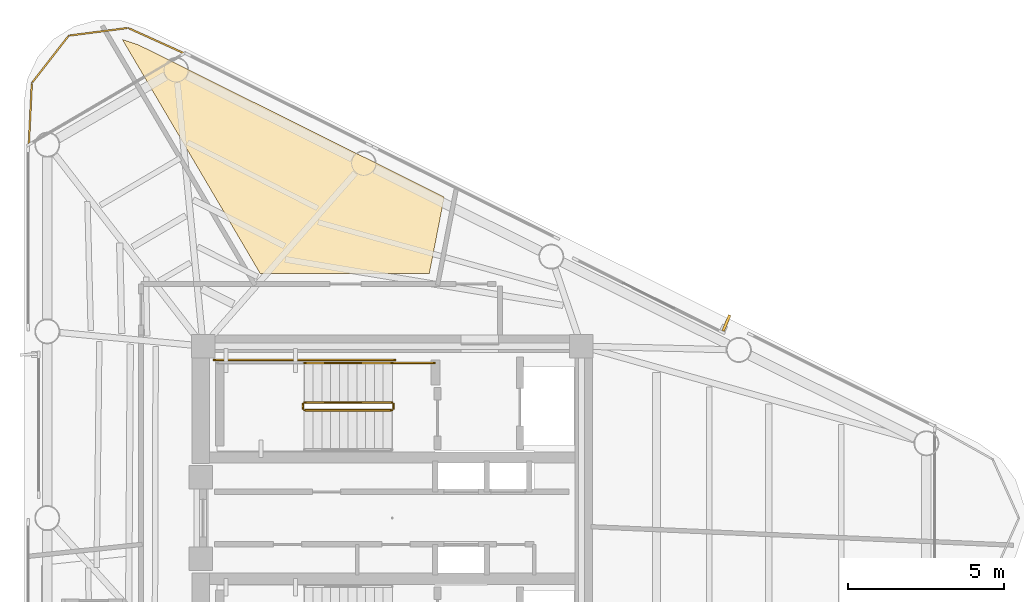
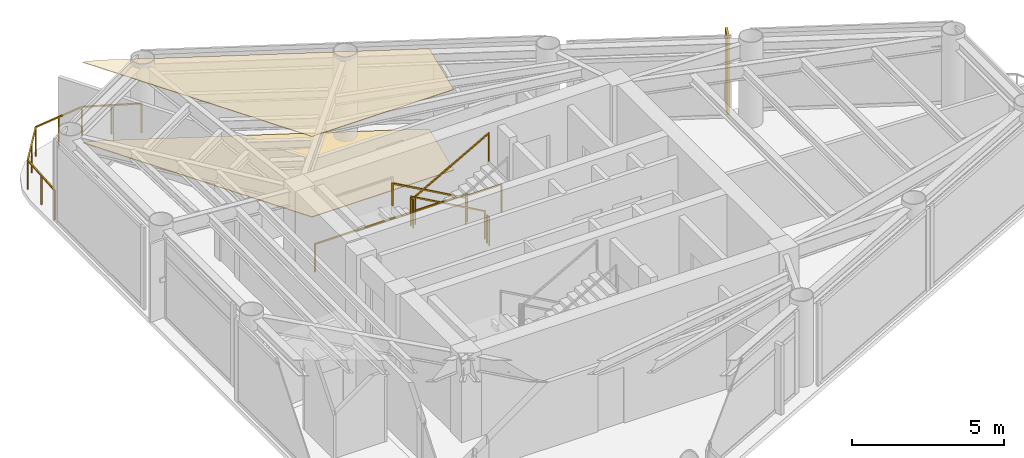
# One storey, part 10 of 10: 8 railings, 2 coverings, 1 shading device.
"""IFC4 building model written with IfcOpenShell, lengths in metres."""

from ifc_helpers import new_model, si_unit, direction, frame, origin, origin_2d, place, context, subcontext, project, spatial, polyline, rectangle, outline, extrude, source, transform, mapped, material, layer, layer_set, material_profile, profile_set, type_object, element, save


model = new_model("IFC4")

# Units and contexts
model_context = context("Model", 3, precision=1e-05, world=origin(), true_north=direction((0.0, 1.0)))
body_context = subcontext(model_context, "Body", "Model", "MODEL_VIEW")
ifc_project = project(units=[si_unit("LENGTHUNIT", "METRE"), si_unit("AREAUNIT", "SQUARE_METRE"), si_unit("VOLUMEUNIT", "CUBIC_METRE"), si_unit("PLANEANGLEUNIT", "RADIAN"), si_unit("MASSUNIT", "GRAM", prefix="KILO")], contexts=[model_context])

# Site, building, storey
site_placement = place(None, origin())
site = spatial("IfcSite", under=ifc_project, at=site_placement, CompositionType="ELEMENT")
building_placement = place(site_placement, origin())
building = spatial("IfcBuilding", under=site, at=building_placement, Name="Yunling Apex Tower", CompositionType="ELEMENT")
storey_placement = place(building_placement, frame((0.0, 0.0, 310.550048828125)))
storey = spatial("IfcBuildingStorey", under=building, at=storey_placement, Name="L76", CompositionType="ELEMENT", Elevation=310.550048828125)

# Coverings
ifc_material_1 = material(Name="Acoustic mineral fibre ceiling")
ifc_layer_1 = layer(ifc_material_1, 0.02490234375)
ifc_layer_set_1 = layer_set([ifc_layer_1], Name="Acoustic mineral fibre ceiling")
covering_type_1 = type_object("IfcCoveringType", Name="CV-CLG-1", PredefinedType="CEILING", material=ifc_layer_set_1)
covering_1_placement = place(storey_placement, frame((0.0, 0.0, 3.244873046875)))
element("IfcCovering", 1, at=covering_1_placement, inside=storey, type_object=covering_type_1, Name="CV-CL-SP-L76-AMN5", PredefinedType="CEILING", context=body_context, shape_type="SweptSolid", body=[
    extrude(outline(polyline([(-8.634521484375, 15.308349609375), (-8.130126953125, 15.14306640625), (1.66015625, 10.270263671875), (1.183837890625, 7.820068359375), (-4.223388671875, 7.820068359375), (-8.634521484375, 15.308349609375)])), origin(), (0.0, 0.0, 1.0), 0.025146484375),
])
ifc_material_2 = material(Name="Polished granite stone", Category="masonry")
ifc_layer_2 = layer(ifc_material_2, 0.030029296875)
ifc_layer_set_2 = layer_set([ifc_layer_2], Name="Polished granite stone")
covering_type_2 = type_object("IfcCoveringType", Name="CV-FLR-1", PredefinedType="FLOORING", material=ifc_layer_set_2)
covering_2_placement = place(storey_placement, origin())
element("IfcCovering", 2, at=covering_2_placement, inside=storey, type_object=covering_type_2, Name="CV-FL-SP-L76-AMN5", PredefinedType="FLOORING", context=body_context, shape_type="SweptSolid", body=[
    extrude(outline(polyline([(-8.634521484375, 15.308349609375), (-8.130126953125, 15.14306640625), (1.66015625, 10.270263671875), (1.183837890625, 7.820068359375), (-4.223388671875, 7.820068359375), (-8.634521484375, 15.308349609375)])), origin(), (0.0, 0.0, 1.0), 0.030029296875),
])

# Railings
ifc_material_3 = material(Name="Bronze anodised aluminium", Category="aluminium")
railing_type_1 = type_object("IfcRailingType", Name="RL-BAL-1200", PredefinedType="BALUSTRADE", material=ifc_material_3)
railing_1_placement = place(storey_placement, frame((-11.627197265625, 11.9453125, 0.0)))
element("IfcRailing", 3, at=railing_1_placement, inside=storey, type_object=railing_type_1, Name="RL-CRNSILL-L76-2", PredefinedType="BALUSTRADE", context=body_context, shape_type="SweptSolid", body=[
    extrude(rectangle(XDim=0.0439453125, YDim=0.0439453125, at=origin_2d()), origin(), (0.0, 0.0, 1.0), 1.199951171875),
    extrude(rectangle(XDim=0.0439453125, YDim=0.0439453125, at=origin_2d()), frame((0.095947265625, 1.972412109375, 0.0)), (0.0, 0.0, 1.0), 1.199951171875),
    extrude(rectangle(XDim=0.050048828125, YDim=0.050048828125, at=origin_2d()), frame((0.001953125, 0.038330078125, 1.1748046875), z_axis=(0.048587182269, 0.998818945415, 0.0), x_axis=(-0.998818945415, 0.048587182269, 0.0)), (0.0, 0.0, 1.0), 1.898193359375),
    extrude(rectangle(XDim=0.0439453125, YDim=0.0439453125, at=origin_2d()), frame((0.0478515625, 0.986328125, 0.0)), (0.0, 0.0, 1.0), 1.14599609375),
    extrude(rectangle(XDim=0.0439453125, YDim=0.0439453125, at=origin_2d()), frame((1.27685546875, 3.48828125, 0.0)), (0.0, 0.0, 1.0), 1.199951171875),
    extrude(rectangle(XDim=0.050048828125, YDim=0.050048828125, at=origin_2d()), frame((0.119384765625, 2.002685546875, 1.1748046875), z_axis=(0.61455614591, 0.788873084548, 0.0), x_axis=(-0.788873084548, 0.61455614591, 0.0)), (0.0, 0.0, 1.0), 1.844970703125),
    extrude(rectangle(XDim=0.0439453125, YDim=0.0439453125, at=origin_2d()), frame((0.6865234375, 2.73046875, 0.0)), (0.0, 0.0, 1.0), 1.14599609375),
    extrude(rectangle(XDim=0.0439453125, YDim=0.0439453125, at=origin_2d()), frame((3.176513671875, 3.734375, 0.0)), (0.0, 0.0, 1.0), 1.199951171875),
    extrude(rectangle(XDim=0.050048828125, YDim=0.050048828125, at=origin_2d()), frame((1.31494140625, 3.4931640625, 1.1748046875), z_axis=(0.991713034877, 0.128472784881, 0.0), x_axis=(-0.128472784881, 0.991713034877, 0.0)), (0.0, 0.0, 1.0), 1.8388671875),
    extrude(rectangle(XDim=0.0439453125, YDim=0.0439453125, at=origin_2d()), frame((2.2265625, 3.611328125, 0.0)), (0.0, 0.0, 1.0), 1.14599609375),
    extrude(rectangle(XDim=0.0439453125, YDim=0.0439453125, at=origin_2d()), frame((4.97607421875, 2.919677734375, 0.0)), (0.0, 0.0, 1.0), 1.199951171875),
    extrude(rectangle(XDim=0.050048828125, YDim=0.050048828125, at=origin_2d()), frame((3.21142578125, 3.718505859375, 1.1748046875), z_axis=(0.910991856267, -0.412424341929, 0.0), x_axis=(0.412424341929, 0.910991856267, 0.0)), (0.0, 0.0, 1.0), 1.898681640625),
    extrude(rectangle(XDim=0.0439453125, YDim=0.0439453125, at=origin_2d()), frame((4.076171875, 3.3271484375, 0.0)), (0.0, 0.0, 1.0), 1.14599609375),
])
ifc_material_4 = material(Name="Steel Q355B", Category="steel")
railing_type_2 = type_object("IfcRailingType", Name="RL-GRD-1150", PredefinedType="GUARDRAIL", material=ifc_material_4)
railing_2_placement = place(storey_placement, frame((-0.010009765625, 3.699951171875, 0.15673828125)))
element("IfcRailing", 4, at=railing_2_placement, inside=storey, type_object=railing_type_2, Name="L76 ST-1 stair guard 1", PredefinedType="GUARDRAIL", context=body_context, shape_type="SweptSolid", body=[
    extrude(rectangle(XDim=0.0439453125, YDim=0.0439453125, at=origin_2d()), origin(), (0.0, 0.0, 1.0), 1.14990234375),
    extrude(rectangle(XDim=0.0439453125, YDim=0.0439453125, at=origin_2d()), frame((-2.800048828125, 0.0, 1.568115234375)), (0.0, 0.0, 1.0), 1.14990234375),
    extrude(rectangle(XDim=0.050048828125, YDim=0.050048828125, at=origin_2d()), frame((-0.033447265625, 0.0, 1.1435546875), z_axis=(-0.872494340497, 0.0, 0.48862421737), x_axis=(0.0, -1.0, 0.0)), (0.0, 0.0, 1.0), 3.132568359375),
])
railing_3_placement = place(storey_placement, frame((-2.860107421875, 3.64990234375, 1.724853515625)))
element("IfcRailing", 5, at=railing_3_placement, inside=storey, type_object=railing_type_2, Name="L76 ST-1 stair guard 2", PredefinedType="GUARDRAIL", context=body_context, shape_type="SweptSolid", body=[
    extrude(rectangle(XDim=0.0439453125, YDim=0.0439453125, at=origin_2d()), origin(), (0.0, 0.0, 1.0), 1.14990234375),
    extrude(rectangle(XDim=0.0439453125, YDim=0.0439453125, at=origin_2d()), frame((0.0, -0.14990234375, 0.0)), (0.0, 0.0, 1.0), 1.14990234375),
    extrude(rectangle(XDim=0.050048828125, YDim=0.050048828125, at=origin_2d()), frame((0.0, -0.038330078125, 1.125), z_axis=(0.0, -1.0, 0.0), x_axis=(1.0, 0.0, 0.0)), (0.0, 0.0, 1.0), 0.0732421875),
])
railing_4_placement = place(storey_placement, frame((-2.81005859375, 3.449951171875, 1.8818359375)))
element("IfcRailing", 6, at=railing_4_placement, inside=storey, type_object=railing_type_2, Name="L76 ST-1 stair guard 4", PredefinedType="GUARDRAIL", context=body_context, shape_type="SweptSolid", body=[
    extrude(rectangle(XDim=0.0439453125, YDim=0.0439453125, at=origin_2d()), origin(), (0.0, 0.0, 1.0), 1.14990234375),
    extrude(rectangle(XDim=0.0439453125, YDim=0.0439453125, at=origin_2d()), frame((2.800048828125, 0.0, 1.568115234375)), (0.0, 0.0, 1.0), 1.14990234375),
    extrude(rectangle(XDim=0.050048828125, YDim=0.050048828125, at=origin_2d()), frame((0.033447265625, 0.0, 1.1435546875), z_axis=(0.872494340497, 0.0, 0.48862421737), x_axis=(0.0, 1.0, 0.0)), (0.0, 0.0, 1.0), 3.132568359375),
])
railing_5_placement = place(storey_placement, frame((0.0400390625, 3.64990234375, 0.0)))
element("IfcRailing", 7, at=railing_5_placement, inside=storey, type_object=railing_type_2, Name="L76 ST-1 stair guard 5", PredefinedType="GUARDRAIL", context=body_context, shape_type="SweptSolid", body=[
    extrude(rectangle(XDim=0.0439453125, YDim=0.0439453125, at=origin_2d()), origin(), (0.0, 0.0, 1.0), 1.14990234375),
    extrude(rectangle(XDim=0.0439453125, YDim=0.0439453125, at=origin_2d()), frame((0.0, -0.14990234375, 0.0)), (0.0, 0.0, 1.0), 1.14990234375),
    extrude(rectangle(XDim=0.050048828125, YDim=0.050048828125, at=origin_2d()), frame((0.0, -0.038330078125, 1.125), z_axis=(0.0, -1.0, 0.0), x_axis=(1.0, 0.0, 0.0)), (0.0, 0.0, 1.0), 0.0732421875),
])
railing_6_placement = place(storey_placement, frame((1.35009765625, 4.9599609375, 0.0)))
element("IfcRailing", 8, at=railing_6_placement, inside=storey, type_object=railing_type_2, Name="L76 ST-1 stair guard 6", PredefinedType="GUARDRAIL", context=body_context, shape_type="SweptSolid", body=[
    extrude(rectangle(XDim=0.0439453125, YDim=0.0439453125, at=origin_2d()), origin(), (0.0, 0.0, 1.0), 1.14990234375),
    extrude(rectangle(XDim=0.0439453125, YDim=0.0439453125, at=origin_2d()), frame((-1.360107421875, 0.0, 0.0)), (0.0, 0.0, 1.0), 1.14990234375),
    extrude(rectangle(XDim=0.050048828125, YDim=0.050048828125, at=origin_2d()), frame((-0.038330078125, 0.0, 1.125), z_axis=(-1.0, 0.0, 0.0), x_axis=(0.0, -1.0, 0.0)), (0.0, 0.0, 1.0), 1.283447265625),
])
railing_7_placement = place(storey_placement, frame((0.090087890625, 5.06005859375, 0.0)))
element("IfcRailing", 9, at=railing_7_placement, inside=storey, type_object=railing_type_2, Name="L76 ST-1 stair guard 7", PredefinedType="GUARDRAIL", context=body_context, shape_type="SweptSolid", body=[
    extrude(rectangle(XDim=0.0439453125, YDim=0.0439453125, at=origin_2d()), origin(), (0.0, 0.0, 1.0), 1.14990234375),
    extrude(rectangle(XDim=0.0439453125, YDim=0.0439453125, at=origin_2d()), frame((-5.7900390625, 0.0, 0.0)), (0.0, 0.0, 1.0), 1.14990234375),
    extrude(rectangle(XDim=0.050048828125, YDim=0.050048828125, at=origin_2d()), frame((-0.038330078125, 0.0, 1.125), z_axis=(-1.0, 0.0, 0.0), x_axis=(0.0, -1.0, 0.0)), (0.0, 0.0, 1.0), 5.71337890625),
])
ifc_material_5 = material(Name="Silver anodised aluminium", Category="aluminium")
railing_type_3 = type_object("IfcRailingType", Name="RL-HND-900", PredefinedType="HANDRAIL", material=ifc_material_5)
railing_8_placement = place(storey_placement, frame((-0.010009765625, 4.9599609375, 0.15673828125)))
element("IfcRailing", 10, at=railing_8_placement, inside=storey, type_object=railing_type_3, Name="L76 ST-1 stair handrail 1", PredefinedType="HANDRAIL", context=body_context, shape_type="SweptSolid", body=[
    extrude(rectangle(XDim=0.0439453125, YDim=0.0439453125, at=origin_2d()), origin(), (0.0, 0.0, 1.0), 0.919921875),
    extrude(rectangle(XDim=0.0439453125, YDim=0.0439453125, at=origin_2d()), frame((-2.800048828125, 0.0, 1.568115234375)), (0.0, 0.0, 1.0), 0.919921875),
    extrude(rectangle(XDim=0.050048828125, YDim=0.050048828125, at=origin_2d()), frame((-0.033447265625, 0.0, 0.91357421875), z_axis=(-0.872494340497, 0.0, 0.48862421737), x_axis=(0.0, -1.0, 0.0)), (0.0, 0.0, 1.0), 3.132568359375),
])

# Shading device
ifc_material_profile = material_profile(ifc_material_3, rectangle(XDim=0.0849609375, YDim=0.550048828125, at=origin_2d()))
ifc_profile_set = profile_set([ifc_material_profile], Name="Bronze anodised aluminium")
shading_device_type = type_object("IfcShadingDeviceType", Name="FN-BRZ-3", PredefinedType="USERDEFINED", material=ifc_profile_set)
shared_shape = source(origin(), body_context, "Body", "SweptSolid", [
    extrude(rectangle(XDim=0.0849609375, YDim=0.550048828125, at=origin_2d()), origin(), (0.0, 0.0, 1.0), 3.14990234375),
])
shading_device_placement = place(storey_placement, frame((10.689208984375, 6.240234375, 0.06005859375), z_axis=(0.0, 0.0, 1.0), x_axis=(-0.922470722095, 0.386067049717, 0.0)))
element("IfcShadingDevice", 11, at=shading_device_placement, inside=storey, type_object=shading_device_type, Name="CW-L76-F2-B2-FIN-01", ObjectType="FIN", PredefinedType="USERDEFINED", context=body_context, shape_type="MappedRepresentation", body=[
    mapped(shared_shape, transform((0.0, 0.0, 0.0), scale=1.0)),
])

save(model, "model.ifc")
